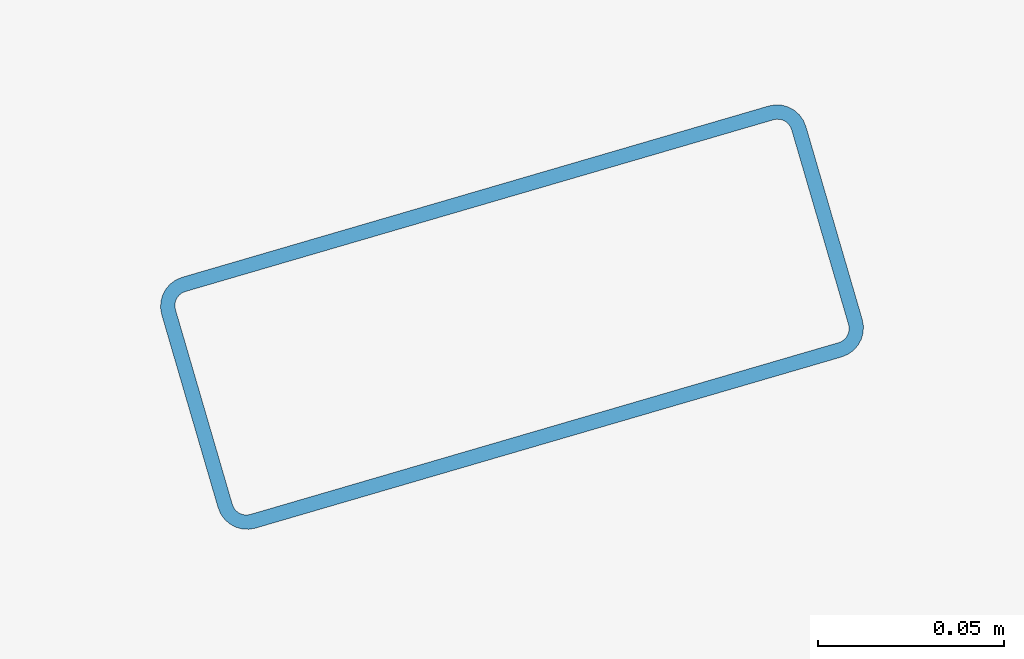
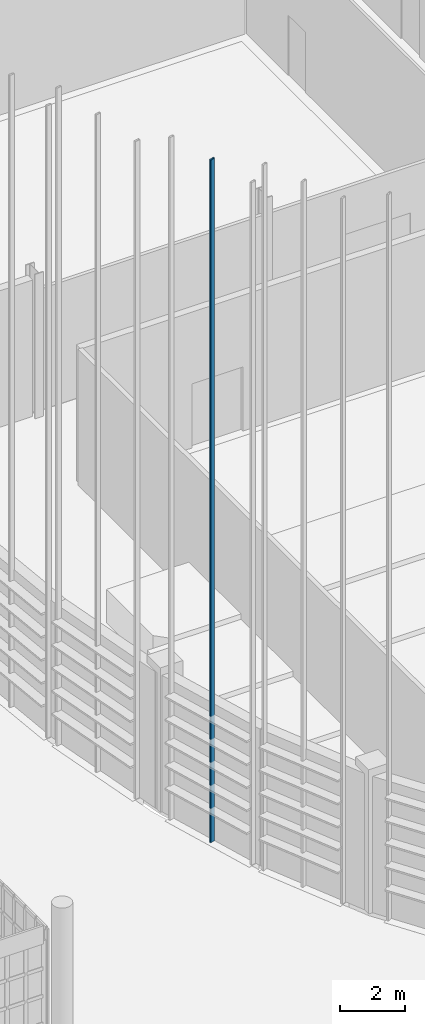
# One storey, part 73 of 372: 1 member.
"""IFC4 building model written with IfcOpenShell, lengths in metres."""

from ifc_helpers import new_model, si_unit, direction, frame, origin, origin_2d, place, context, subcontext, project, spatial, hollow_rectangle, extrude, material, material_profile, profile_set, type_object, element, save


model = new_model("IFC4")

# Units and contexts
model_context = context("Model", 3, precision=1e-05, world=origin(), true_north=direction((0.0, 1.0)))
body_context = subcontext(model_context, "Body", "Model", "MODEL_VIEW")
ifc_project = project(units=[si_unit("LENGTHUNIT", "METRE"), si_unit("AREAUNIT", "SQUARE_METRE"), si_unit("VOLUMEUNIT", "CUBIC_METRE"), si_unit("PLANEANGLEUNIT", "RADIAN"), si_unit("MASSUNIT", "GRAM", prefix="KILO")], contexts=[model_context])

# Site, building, storey
site_placement = place(None, origin())
site = spatial("IfcSite", under=ifc_project, at=site_placement, CompositionType="ELEMENT")
building_placement = place(site_placement, origin())
building = spatial("IfcBuilding", under=site, at=building_placement, Name="Kaelora Sail Theatre", CompositionType="ELEMENT")
storey_placement = place(building_placement, origin())
storey = spatial("IfcBuildingStorey", under=building, at=storey_placement, Name="L00", CompositionType="ELEMENT", Elevation=0.0)

# Member
ifc_material = material(Name="Anodised aluminium 6063-T6", Category="aluminium")
ifc_material_profile = material_profile(ifc_material, hollow_rectangle(XDim=0.070068359375, YDim=0.179931640625, WallThickness=0.00390625, InnerFilletRadius=0.00390625, OuterFilletRadius=0.008056640625, at=origin_2d()), Name="ALU-MULL 70x180x4")
ifc_profile_set = profile_set([ifc_material_profile], Name="Anodised aluminium 6063-T6")
member_type = type_object("IfcMemberType", Name="ARC-MEM-PST-160", PredefinedType="POST", material=ifc_profile_set)
member_placement = place(storey_placement, frame((27.15869140625, 38.456298828125, 0.0), z_axis=(0.0, 0.0, 1.0), x_axis=(-0.280331656578, 0.959903204662, 0.0)))
element("IfcMember", 1, at=member_placement, inside=storey, type_object=member_type, Name="Main Theatre Sail Drum solar louvre vertical support post C18-2", PredefinedType="POST", context=body_context, shape_type="SweptSolid", body=[
    extrude(hollow_rectangle(XDim=0.070068359375, YDim=0.179931640625, WallThickness=0.00390625, InnerFilletRadius=0.00390625, OuterFilletRadius=0.008056640625, at=origin_2d()), origin(), (0.0, 0.0, 1.0), 25.54248046875),
])

save(model, "model.ifc")
